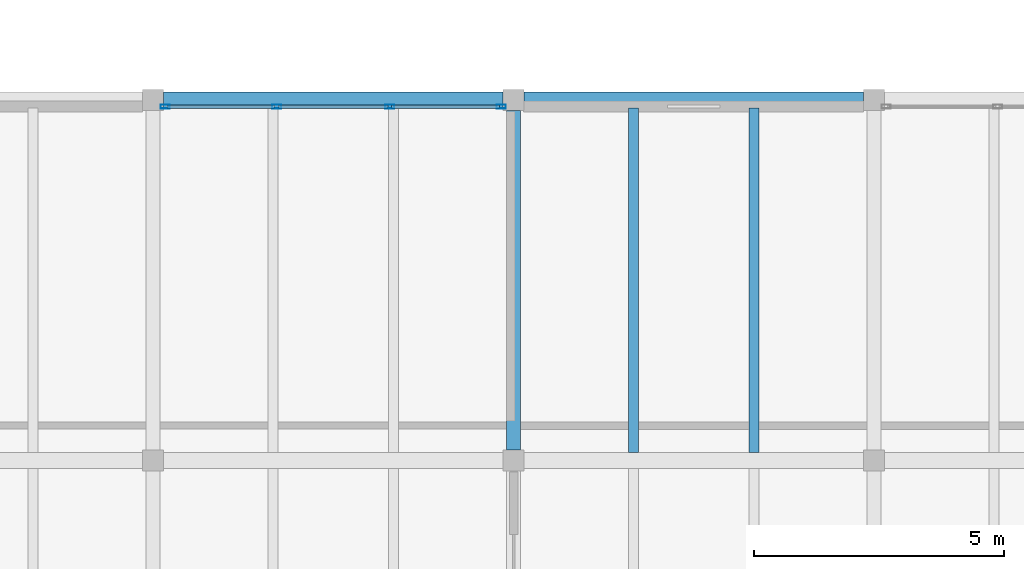
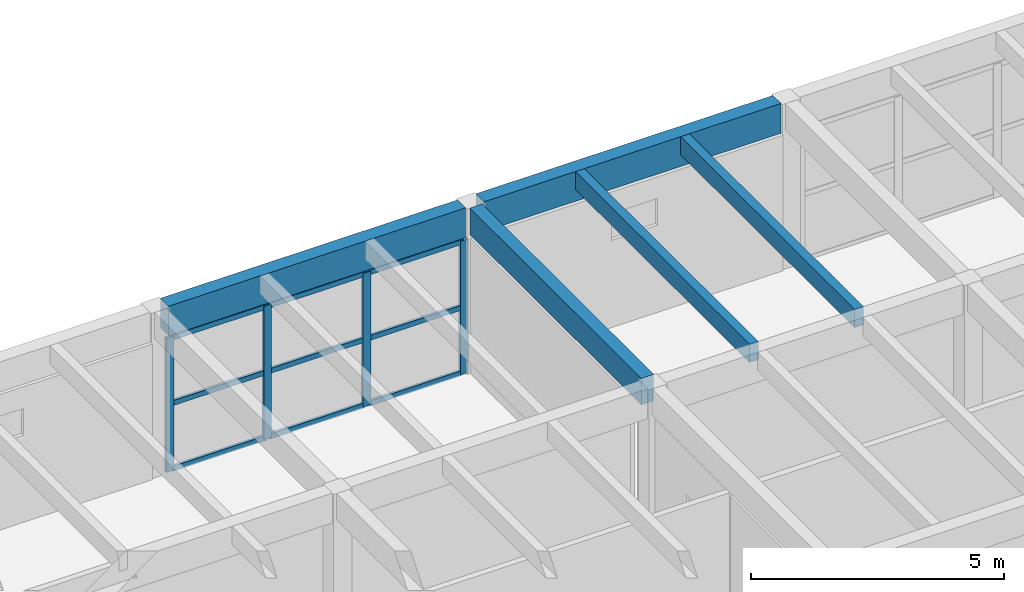
# One storey, part 43 of 68: 13 members, 5 beams, 1 element without a shape of its own.
"""IFC4 building model written with IfcOpenShell, lengths in metres."""

from ifc_helpers import new_model, si_unit, direction, frame, origin, origin_2d, place, context, subcontext, project, spatial, rectangle, hollow_rectangle, extrude, material, material_profile, profile_set, type_object, element, aggregate, save


model = new_model("IFC4")

# Units and contexts
model_context = context("Model", 3, precision=1e-05, world=origin(), true_north=direction((0.0, 1.0)))
body_context = subcontext(model_context, "Body", "Model", "MODEL_VIEW")
ifc_project = project(units=[si_unit("LENGTHUNIT", "METRE"), si_unit("AREAUNIT", "SQUARE_METRE"), si_unit("VOLUMEUNIT", "CUBIC_METRE"), si_unit("PLANEANGLEUNIT", "RADIAN"), si_unit("MASSUNIT", "GRAM", prefix="KILO")], contexts=[model_context])

# Site, building, storey
site_placement = place(None, origin())
site = spatial("IfcSite", under=ifc_project, at=site_placement, CompositionType="ELEMENT")
building_placement = place(site_placement, origin())
building = spatial("IfcBuilding", under=site, at=building_placement, Name="Bramvelor Terrace Health Centre", CompositionType="ELEMENT")
storey_placement = place(building_placement, frame((0.0, 0.0, 9.300048828125)))
storey = spatial("IfcBuildingStorey", under=building, at=storey_placement, Name="L03", CompositionType="ELEMENT", Elevation=9.300048828125)

# Beams
ifc_material_1 = material(Name="Glulam GL28h", Category="wood")
ifc_material_profile_1 = material_profile(ifc_material_1, rectangle(XDim=0.280029296875, YDim=0.639892578125, at=origin_2d()), Name="GL 280x640")
ifc_profile_set_1 = profile_set([ifc_material_profile_1], Name="Glulam GL28h")
beam_type_1 = type_object("IfcBeamType", Name="BM-GL-G640", PredefinedType="BEAM", material=ifc_profile_set_1)
beam_placement = place(storey_placement, frame((136.800048828125, 57.81005859375, 3.669921875), z_axis=(0.0, 1.0, 0.0), x_axis=(-1.0, 0.0, 0.0)))
element("IfcBeam", 1, at=beam_placement, inside=storey, type_object=beam_type_1, Name="L03 Floor Girder", PredefinedType="BEAM", context=body_context, shape_type="SweptSolid", body=[
    extrude(rectangle(XDim=0.280029296875, YDim=0.639892578125, at=origin_2d()), origin(), (0.0, 0.0, 1.0), 6.780029296875),
])
ifc_material_2 = material(Name="Glulam GL28h", Category="wood")
ifc_material_profile_2 = material_profile(ifc_material_2, rectangle(XDim=0.320068359375, YDim=0.719970703125, at=origin_2d()), Name="GL 320x720")
ifc_profile_set_2 = profile_set([ifc_material_profile_2], Name="Glulam GL28h")
beam_type_2 = type_object("IfcBeamType", Name="BM-GL-G720", PredefinedType="BEAM", material=ifc_profile_set_2)
for number, where, z_axis, x_axis, name in (
    (2, (129.81005859375, 64.800048828125, 3.6298828125), (1.0, 0.0, 0.0), (0.0, 1.0, 0.0), "L03 Floor Girder"),
    (3, (137.010009765625, 64.800048828125, 3.6298828125), (1.0, 0.0, 0.0), (0.0, 1.0, 0.0), "L03 Floor Girder"),
):
    element("IfcBeam", number, at=place(storey_placement, frame(where, z_axis=z_axis, x_axis=x_axis)), inside=storey, type_object=beam_type_2, Name=name, PredefinedType="BEAM", context=body_context, shape_type="SweptSolid", body=[
        extrude(rectangle(XDim=0.320068359375, YDim=0.719970703125, at=origin_2d()), origin(), (0.0, 0.0, 1.0), 6.780029296875),
    ])
ifc_material_3 = material(Name="Glulam GL28h", Category="wood")
ifc_material_profile_3 = material_profile(ifc_material_3, rectangle(XDim=0.199951171875, YDim=0.43994140625, at=origin_2d()), Name="GL 200x440")
ifc_profile_set_3 = profile_set([ifc_material_profile_3], Name="Glulam GL28h")
beam_type_3 = type_object("IfcBeamType", Name="BM-GL-J440", PredefinedType="JOIST", material=ifc_profile_set_3)
for number, where, z_axis, x_axis, name in (
    (4, (139.199951171875, 57.760009765625, 3.77001953125), (0.0, 1.0, 0.0), (-1.0, 0.0, 0.0), "L03 Secondary Floor Joist"),
    (5, (141.60009765625, 57.760009765625, 3.77001953125), (0.0, 1.0, 0.0), (-1.0, 0.0, 0.0), "L03 Secondary Floor Joist"),
):
    element("IfcBeam", number, at=place(storey_placement, frame(where, z_axis=z_axis, x_axis=x_axis)), inside=storey, type_object=beam_type_3, Name=name, PredefinedType="JOIST", context=body_context, shape_type="SweptSolid", body=[
        extrude(rectangle(XDim=0.199951171875, YDim=0.43994140625, at=origin_2d()), origin(), (0.0, 0.0, 1.0), 6.8798828125),
    ])

# Curtain wall, members
ifc_material_4 = material(Name="Anodized aluminium and double low-E glass", Category="aluminium")
curtain_wall_type = type_object("IfcCurtainWallType", Name="CW-SYS-27", PredefinedType="NOTDEFINED", material=ifc_material_4)
curtain_wall_placement = place(storey_placement, origin())
curtain_wall = element("IfcCurtainWall", 6, at=curtain_wall_placement, inside=storey, type_object=curtain_wall_type, Name="L03 Unitized Curtain Wall 164", PredefinedType="NOTDEFINED")
ifc_material_5 = material(Name="Anodized aluminium 6063-T6", Category="aluminium")
ifc_material_profile_4 = material_profile(ifc_material_5, hollow_rectangle(XDim=0.074951171875, YDim=0.179931640625, WallThickness=0.00341796875, at=origin_2d()), Name="ALU-MUL 75x180x3.5")
ifc_profile_set_4 = profile_set([ifc_material_profile_4], Name="Anodized aluminium 6063-T6")
member_type_1 = type_object("IfcMemberType", Name="CW-MUL-65x180", PredefinedType="MULLION", material=ifc_profile_set_4)
member_1_placement = place(storey_placement, frame((129.842529296875, 64.669921875, 0.0), z_axis=(0.0, 0.0, 1.0), x_axis=(0.0, 1.0, 0.0)))
member_1 = element("IfcMember", 7, at=member_1_placement, type_object=member_type_1, Name="CW-27 mullion 1", PredefinedType="MULLION", context=body_context, shape_type="SweptSolid", body=[
    extrude(hollow_rectangle(XDim=0.074951171875, YDim=0.179931640625, WallThickness=0.00341796875, at=origin_2d()), origin(), (0.0, 0.0, 1.0), 3.22998046875),
])
member_2_placement = place(storey_placement, frame((132.068359375, 64.669921875, 0.0), z_axis=(0.0, 0.0, 1.0), x_axis=(0.0, 1.0, 0.0)))
member_2 = element("IfcMember", 8, at=member_2_placement, type_object=member_type_1, Name="CW-27 mullion 2", PredefinedType="MULLION", context=body_context, shape_type="SweptSolid", body=[
    extrude(hollow_rectangle(XDim=0.074951171875, YDim=0.179931640625, WallThickness=0.00341796875, at=origin_2d()), origin(), (0.0, 0.0, 1.0), 3.22998046875),
])
member_3_placement = place(storey_placement, frame((134.331787109375, 64.669921875, 0.0), z_axis=(0.0, 0.0, 1.0), x_axis=(0.0, 1.0, 0.0)))
member_3 = element("IfcMember", 9, at=member_3_placement, type_object=member_type_1, Name="CW-27 mullion 3", PredefinedType="MULLION", context=body_context, shape_type="SweptSolid", body=[
    extrude(hollow_rectangle(XDim=0.074951171875, YDim=0.179931640625, WallThickness=0.00341796875, at=origin_2d()), origin(), (0.0, 0.0, 1.0), 3.22998046875),
])
member_4_placement = place(storey_placement, frame((136.5576171875, 64.669921875, 0.0), z_axis=(0.0, 0.0, 1.0), x_axis=(0.0, 1.0, 0.0)))
member_4 = element("IfcMember", 10, at=member_4_placement, type_object=member_type_1, Name="CW-27 mullion 4", PredefinedType="MULLION", context=body_context, shape_type="SweptSolid", body=[
    extrude(hollow_rectangle(XDim=0.074951171875, YDim=0.179931640625, WallThickness=0.00341796875, at=origin_2d()), origin(), (0.0, 0.0, 1.0), 3.22998046875),
])
ifc_material_6 = material(Name="Anodized aluminium 6063-T6", Category="aluminium")
ifc_material_profile_5 = material_profile(ifc_material_6, hollow_rectangle(XDim=0.06494140625, YDim=0.1201171875, WallThickness=0.0029296875, at=origin_2d()), Name="ALU-TRN 65x120x3.0")
ifc_profile_set_5 = profile_set([ifc_material_profile_5], Name="Anodized aluminium 6063-T6")
member_type_2 = type_object("IfcMemberType", Name="CW-TRN-65x150", PredefinedType="USERDEFINED", material=ifc_profile_set_5)
member_5_placement = place(storey_placement, frame((129.8798828125, 64.669921875, 0.032470703125), z_axis=(1.0, 0.0, 0.0), x_axis=(0.0, 1.0, 0.0)))
member_5 = element("IfcMember", 11, at=member_5_placement, type_object=member_type_2, Name="CW-27 transom 1.1", ObjectType="TRANSOM", PredefinedType="USERDEFINED", context=body_context, shape_type="SweptSolid", body=[
    extrude(hollow_rectangle(XDim=0.06494140625, YDim=0.1201171875, WallThickness=0.0029296875, at=origin_2d()), origin(), (0.0, 0.0, 1.0), 2.15087890625),
])
member_6_placement = place(storey_placement, frame((129.8798828125, 64.669921875, 1.614990234375), z_axis=(1.0, 0.0, 0.0), x_axis=(0.0, 1.0, 0.0)))
member_6 = element("IfcMember", 12, at=member_6_placement, type_object=member_type_2, Name="CW-27 transom 1.2", ObjectType="TRANSOM", PredefinedType="USERDEFINED", context=body_context, shape_type="SweptSolid", body=[
    extrude(hollow_rectangle(XDim=0.06494140625, YDim=0.1201171875, WallThickness=0.0029296875, at=origin_2d()), origin(), (0.0, 0.0, 1.0), 2.15087890625),
])
member_7_placement = place(storey_placement, frame((129.8798828125, 64.669921875, 3.197509765625), z_axis=(1.0, 0.0, 0.0), x_axis=(0.0, 1.0, 0.0)))
member_7 = element("IfcMember", 13, at=member_7_placement, type_object=member_type_2, Name="CW-27 transom 1.3", ObjectType="TRANSOM", PredefinedType="USERDEFINED", context=body_context, shape_type="SweptSolid", body=[
    extrude(hollow_rectangle(XDim=0.06494140625, YDim=0.1201171875, WallThickness=0.0029296875, at=origin_2d()), origin(), (0.0, 0.0, 1.0), 2.15087890625),
])
member_8_placement = place(storey_placement, frame((132.105712890625, 64.669921875, 0.032470703125), z_axis=(1.0, 0.0, 0.0), x_axis=(0.0, 1.0, 0.0)))
member_8 = element("IfcMember", 14, at=member_8_placement, type_object=member_type_2, Name="CW-27 transom 2.1", ObjectType="TRANSOM", PredefinedType="USERDEFINED", context=body_context, shape_type="SweptSolid", body=[
    extrude(hollow_rectangle(XDim=0.06494140625, YDim=0.1201171875, WallThickness=0.0029296875, at=origin_2d()), origin(), (0.0, 0.0, 1.0), 2.1884765625),
])
member_9_placement = place(storey_placement, frame((132.105712890625, 64.669921875, 1.614990234375), z_axis=(1.0, 0.0, 0.0), x_axis=(0.0, 1.0, 0.0)))
member_9 = element("IfcMember", 15, at=member_9_placement, type_object=member_type_2, Name="CW-27 transom 2.2", ObjectType="TRANSOM", PredefinedType="USERDEFINED", context=body_context, shape_type="SweptSolid", body=[
    extrude(hollow_rectangle(XDim=0.06494140625, YDim=0.1201171875, WallThickness=0.0029296875, at=origin_2d()), origin(), (0.0, 0.0, 1.0), 2.1884765625),
])
member_10_placement = place(storey_placement, frame((132.105712890625, 64.669921875, 3.197509765625), z_axis=(1.0, 0.0, 0.0), x_axis=(0.0, 1.0, 0.0)))
member_10 = element("IfcMember", 16, at=member_10_placement, type_object=member_type_2, Name="CW-27 transom 2.3", ObjectType="TRANSOM", PredefinedType="USERDEFINED", context=body_context, shape_type="SweptSolid", body=[
    extrude(hollow_rectangle(XDim=0.06494140625, YDim=0.1201171875, WallThickness=0.0029296875, at=origin_2d()), origin(), (0.0, 0.0, 1.0), 2.1884765625),
])
member_11_placement = place(storey_placement, frame((134.369140625, 64.669921875, 0.032470703125), z_axis=(1.0, 0.0, 0.0), x_axis=(0.0, 1.0, 0.0)))
member_11 = element("IfcMember", 17, at=member_11_placement, type_object=member_type_2, Name="CW-27 transom 3.1", ObjectType="TRANSOM", PredefinedType="USERDEFINED", context=body_context, shape_type="SweptSolid", body=[
    extrude(hollow_rectangle(XDim=0.06494140625, YDim=0.1201171875, WallThickness=0.0029296875, at=origin_2d()), origin(), (0.0, 0.0, 1.0), 2.15087890625),
])
member_12_placement = place(storey_placement, frame((134.369140625, 64.669921875, 1.614990234375), z_axis=(1.0, 0.0, 0.0), x_axis=(0.0, 1.0, 0.0)))
member_12 = element("IfcMember", 18, at=member_12_placement, type_object=member_type_2, Name="CW-27 transom 3.2", ObjectType="TRANSOM", PredefinedType="USERDEFINED", context=body_context, shape_type="SweptSolid", body=[
    extrude(hollow_rectangle(XDim=0.06494140625, YDim=0.1201171875, WallThickness=0.0029296875, at=origin_2d()), origin(), (0.0, 0.0, 1.0), 2.15087890625),
])
member_13_placement = place(storey_placement, frame((134.369140625, 64.669921875, 3.197509765625), z_axis=(1.0, 0.0, 0.0), x_axis=(0.0, 1.0, 0.0)))
member_13 = element("IfcMember", 19, at=member_13_placement, type_object=member_type_2, Name="CW-27 transom 3.3", ObjectType="TRANSOM", PredefinedType="USERDEFINED", context=body_context, shape_type="SweptSolid", body=[
    extrude(hollow_rectangle(XDim=0.06494140625, YDim=0.1201171875, WallThickness=0.0029296875, at=origin_2d()), origin(), (0.0, 0.0, 1.0), 2.15087890625),
])
aggregate(curtain_wall, [member_1, member_2, member_3, member_4, member_5, member_6, member_7, member_8, member_9, member_10, member_11, member_12, member_13])

save(model, "model.ifc")
